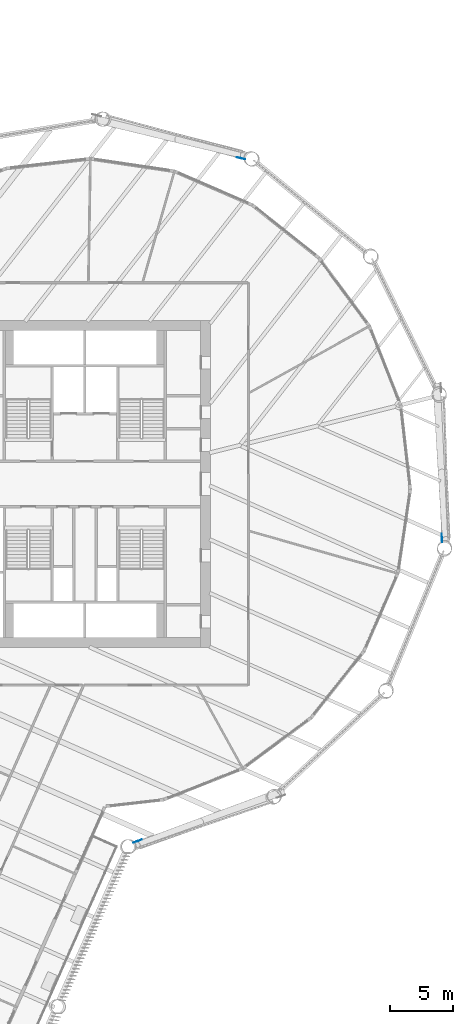
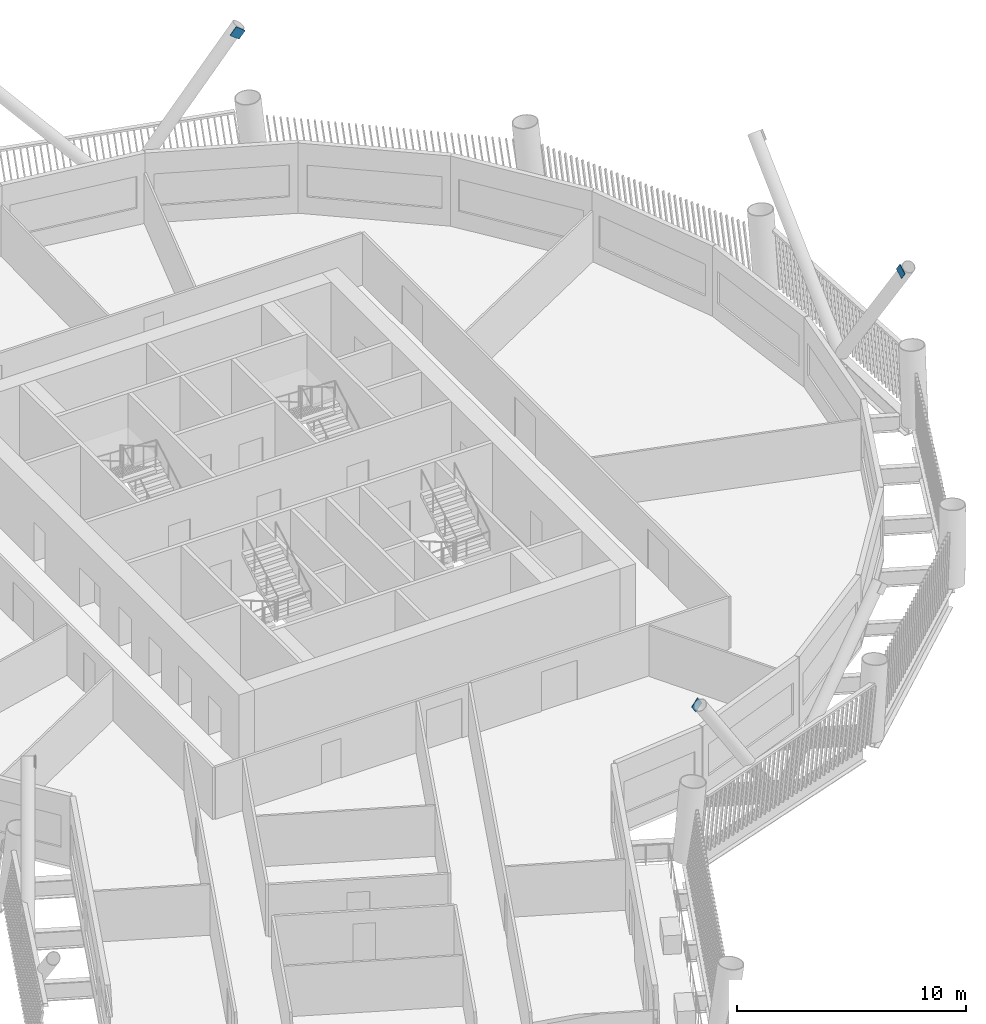
# One storey, part 13 of 22: 3 discrete accessories.
"""IFC4 building model written with IfcOpenShell, lengths in metres."""

from ifc_helpers import new_model, si_unit, direction, frame, origin, origin_2d, place, context, subcontext, project, spatial, rectangle, extrude, material, material_profile, profile_set, type_object, element, save


model = new_model("IFC4")

# Units and contexts
model_context = context("Model", 3, precision=1e-05, world=origin(), true_north=direction((0.0, 1.0)))
body_context = subcontext(model_context, "Body", "Model", "MODEL_VIEW")
ifc_project = project(units=[si_unit("LENGTHUNIT", "METRE"), si_unit("AREAUNIT", "SQUARE_METRE"), si_unit("VOLUMEUNIT", "CUBIC_METRE"), si_unit("PLANEANGLEUNIT", "RADIAN"), si_unit("MASSUNIT", "GRAM", prefix="KILO")], contexts=[model_context])

# Site, building, storey
site_placement = place(None, origin())
site = spatial("IfcSite", under=ifc_project, at=site_placement, CompositionType="ELEMENT")
building_placement = place(site_placement, origin())
building = spatial("IfcBuilding", under=site, at=building_placement, Name="Tarsis Ring Headquarters", CompositionType="ELEMENT")
storey_placement = place(building_placement, frame((0.0, 0.0, 116.199951171875)))
storey = spatial("IfcBuildingStorey", under=building, at=storey_placement, Name="L26", CompositionType="ELEMENT", Elevation=116.199951171875)

# Discrete accessories
ifc_material = material(Name="Structural steel S355", Category="steel")
ifc_material_profile = material_profile(ifc_material, rectangle(XDim=0.02490234375, YDim=0.5, at=origin_2d()), Name="PL 25x500")
ifc_profile_set = profile_set([ifc_material_profile], Name="Structural steel S355")
discrete_accessory_type = type_object("IfcDiscreteAccessoryType", Name="Gusset plate Exo brace 25", PredefinedType="BRACKET", material=ifc_profile_set)
for number, where, z_axis, x_axis, name in (
    (1, (4.047119140625, -28.4521484375, 7.800048828125), (0.529754970591, 0.198230892221, -0.824660041777), (-0.350461169238, 0.93657726262, 0.0), "Gusset plate GP5"),
    (2, (28.394287109375, -4.434814453125, 7.800048828125), (-0.034668820127, 0.56446698685, -0.82472728442), (-0.998119192055, -0.06130316837, 0.0), "Gusset plate GP5"),
    (3, (12.5302734375, 25.863037109375, 7.800048828125), (-0.550233479167, 0.131333456873, -0.824617876055), (-0.232165001053, -0.97267641705, 0.0), "Gusset plate GP5"),
):
    element("IfcDiscreteAccessory", number, at=place(storey_placement, frame(where, z_axis=z_axis, x_axis=x_axis)), inside=storey, type_object=discrete_accessory_type, Name=name, PredefinedType="BRACKET", context=body_context, shape_type="SweptSolid", body=[
        extrude(rectangle(XDim=0.02490234375, YDim=0.5, at=origin_2d()), origin(), (0.0, 0.0, 1.0), 0.5),
    ])

save(model, "model.ifc")
